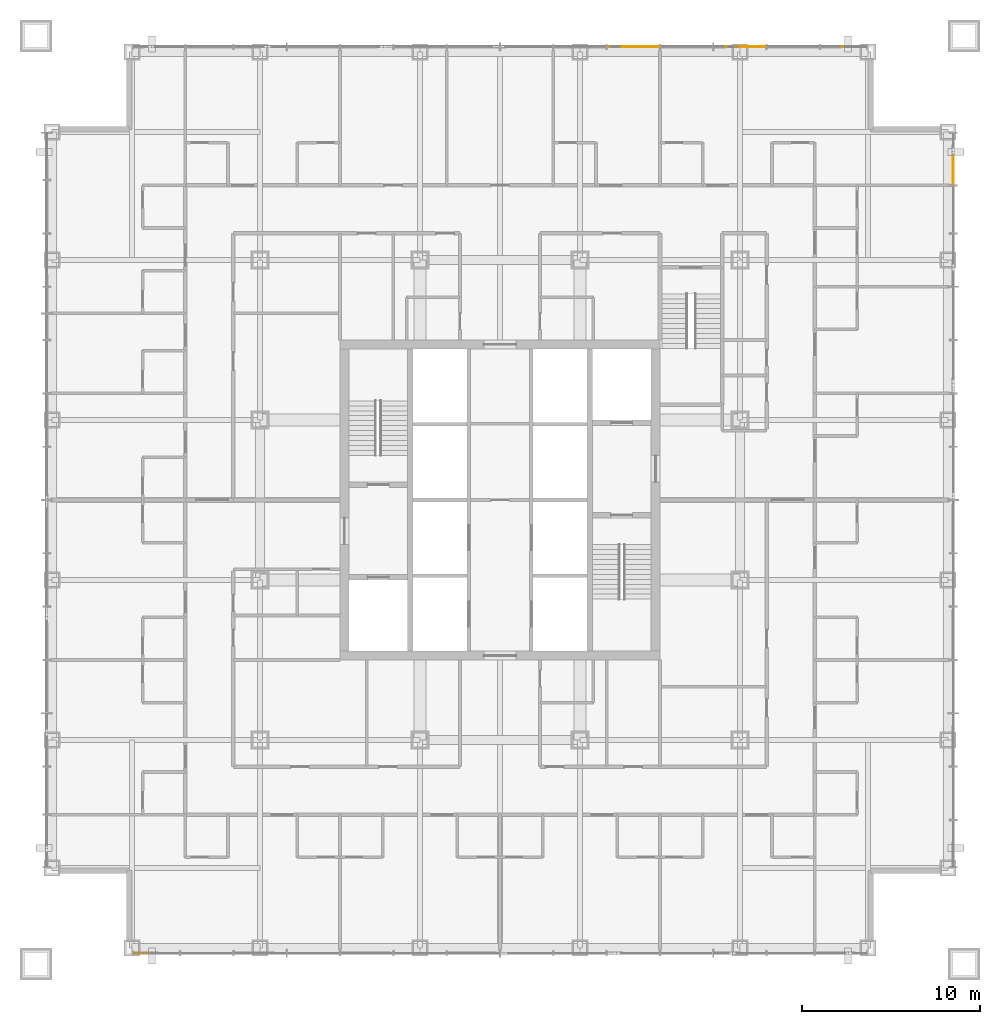
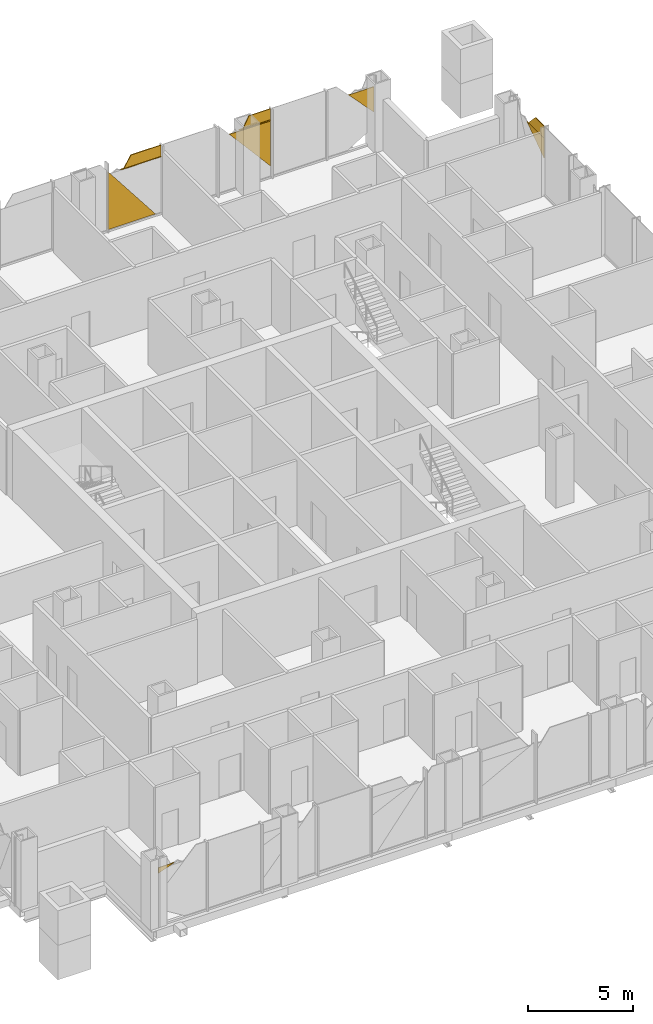
# One storey, part 14 of 23: 10 coverings.
"""IFC4 building model written with IfcOpenShell, lengths in metres."""

from ifc_helpers import new_model, si_unit, direction, frame, origin, place, context, subcontext, project, spatial, polyline, outline, extrude, material, layer, layer_set, type_object, element, save


model = new_model("IFC4")

# Units and contexts
model_context = context("Model", 3, precision=1e-05, world=origin(), true_north=direction((0.0, 1.0)))
body_context = subcontext(model_context, "Body", "Model", "MODEL_VIEW")
ifc_project = project(units=[si_unit("LENGTHUNIT", "METRE"), si_unit("AREAUNIT", "SQUARE_METRE"), si_unit("VOLUMEUNIT", "CUBIC_METRE"), si_unit("PLANEANGLEUNIT", "RADIAN"), si_unit("MASSUNIT", "GRAM", prefix="KILO")], contexts=[model_context])

# Site, building, storey
site_placement = place(None, origin())
site = spatial("IfcSite", under=ifc_project, at=site_placement, CompositionType="ELEMENT")
building_placement = place(site_placement, origin())
building = spatial("IfcBuilding", under=site, at=building_placement, Name="Malebo Sky Hospital", CompositionType="ELEMENT")
storey_placement = place(building_placement, frame((0.0, 0.0, 91.0)))
storey = spatial("IfcBuildingStorey", under=building, at=storey_placement, Name="L21", CompositionType="ELEMENT", Elevation=91.0)

# Coverings
ifc_material = material(Name="Anodised aluminium, natural silver insulated infill panel", Category="aluminium")
ifc_layer = layer(ifc_material, 0.0400390625)
ifc_layer_set = layer_set([ifc_layer], Name="BRACE INFILL PANEL 40")
covering_type = type_object("IfcCoveringType", Name="BRACE INFILL PANEL 40", PredefinedType="CLADDING", material=ifc_layer_set)
covering_1_placement = place(storey_placement, frame((67.34423828125, 87.5, 0.10009765625), z_axis=(0.0, 0.0, 1.0), x_axis=(1.0, 0.0, 0.0)))
element("IfcCovering", 1, at=covering_1_placement, inside=storey, type_object=covering_type, Name="Brace infill panel 10.1", PredefinedType="CLADDING", context=body_context, shape_type="SweptSolid", body=[
    extrude(outline(polyline([(-1.306640625, 0.0), (1.306640625, 0.0), (-1.306640625, 3.370849609375), (-1.306640625, 0.0)])), frame((0.0, 0.02001953125, 0.0), z_axis=(0.0, -1.0, 0.0), x_axis=(1.0, 0.0, 0.0)), (0.0, 0.0, 1.0), 0.0400390625),
])
covering_2_placement = place(storey_placement, frame((67.937744140625, 87.5, 3.3427734375), z_axis=(0.0, 0.0, 1.0), x_axis=(1.0, 0.0, 0.0)))
element("IfcCovering", 2, at=covering_2_placement, inside=storey, type_object=covering_type, Name="Brace infill panel 10.2", PredefinedType="CLADDING", context=body_context, shape_type="SweptSolid", body=[
    extrude(outline(polyline([(-1.02490234375, 0.0), (1.02490234375, 0.0), (1.02490234375, 0.647216796875), (-0.632080078125, 0.647216796875), (-1.02490234375, 0.0)])), frame((0.0, 0.02001953125, 0.0), z_axis=(0.0, -1.0, 0.0), x_axis=(1.0, 0.0, 0.0)), (0.0, 0.0, 1.0), 0.0400390625),
])
covering_3_placement = place(storey_placement, frame((67.845947265625, 87.5, 3.31201171875), z_axis=(0.0, 0.0, 1.0), x_axis=(1.0, 0.0, 0.0)))
element("IfcCovering", 3, at=covering_3_placement, inside=storey, type_object=covering_type, Name="Brace infill panel 10.4", PredefinedType="CLADDING", context=body_context, shape_type="SweptSolid", body=[
    extrude(outline(polyline([(-1.052001953125, 0.0), (1.11669921875, 0.0), (1.11669921875, 0.030517578125), (-1.11669921875, 0.030517578125), (-1.052001953125, 0.0)])), frame((0.0, 0.02001953125, 0.0), z_axis=(0.0, -1.0, 0.0), x_axis=(1.0, 0.0, 0.0)), (0.0, 0.0, 1.0), 0.0400390625),
])
covering_4_placement = place(storey_placement, frame((73.83056640625, 87.5, 0.6650390625), z_axis=(0.0, 0.0, 1.0), x_axis=(1.0, 0.0, 0.0)))
element("IfcCovering", 4, at=covering_4_placement, inside=storey, type_object=covering_type, Name="Brace infill panel 12.1", PredefinedType="CLADDING", context=body_context, shape_type="SweptSolid", body=[
    extrude(outline(polyline([(1.1318359375, 0.0), (1.1318359375, 2.633544921875), (-1.1318359375, 2.633544921875), (1.1318359375, 0.0)])), frame((0.0, 0.02001953125, 0.0), z_axis=(0.0, -1.0, 0.0), x_axis=(1.0, 0.0, 0.0)), (0.0, 0.0, 1.0), 0.0400390625),
])
covering_5_placement = place(storey_placement, frame((74.20458984375, 87.5, 3.360107421875), z_axis=(0.0, 0.0, 1.0), x_axis=(1.0, 0.0, 0.0)))
element("IfcCovering", 5, at=covering_5_placement, inside=storey, type_object=covering_type, Name="Brace infill panel 12.2", PredefinedType="CLADDING", context=body_context, shape_type="SweptSolid", body=[
    extrude(outline(polyline([(-0.7578125, 0.0), (0.7578125, 0.0), (0.7578125, 0.6298828125), (-0.4287109375, 0.6298828125), (-0.7578125, 0.0)])), frame((0.0, 0.02001953125, 0.0), z_axis=(0.0, -1.0, 0.0), x_axis=(1.0, 0.0, 0.0)), (0.0, 0.0, 1.0), 0.0400390625),
])
covering_6_placement = place(storey_placement, frame((74.10302734375, 87.5, 3.298828125), z_axis=(0.0, 0.0, 1.0), x_axis=(1.0, 0.0, 0.0)))
element("IfcCovering", 6, at=covering_6_placement, inside=storey, type_object=covering_type, Name="Brace infill panel 12.4", PredefinedType="CLADDING", context=body_context, shape_type="SweptSolid", body=[
    extrude(outline(polyline([(-0.714111328125, 0.0), (0.859375, 0.0), (0.859375, 0.061279296875), (-0.859375, 0.061279296875), (-0.714111328125, 0.0)])), frame((0.0, 0.02001953125, 0.0), z_axis=(0.0, -1.0, 0.0), x_axis=(1.0, 0.0, 0.0)), (0.0, 0.0, 1.0), 0.0400390625),
])
covering_7_placement = place(storey_placement, frame((79.930908203125, 87.5, 1.816162109375), z_axis=(0.0, 0.0, 1.0), x_axis=(1.0, 0.0, 0.0)))
element("IfcCovering", 7, at=covering_7_placement, inside=storey, type_object=covering_type, Name="Brace infill panel 14.1", PredefinedType="CLADDING", context=body_context, shape_type="SweptSolid", body=[
    extrude(outline(polyline([(0.694091796875, 0.0), (0.694091796875, 1.470703125), (-0.694091796875, 1.470703125), (0.694091796875, 0.0)])), frame((0.0, 0.02001953125, 0.0), z_axis=(0.0, -1.0, 0.0), x_axis=(1.0, 0.0, 0.0)), (0.0, 0.0, 1.0), 0.0400390625),
])
covering_8_placement = place(storey_placement, frame((39.812744140625, 36.5, 3.052734375), z_axis=(0.0, 0.0, 1.0), x_axis=(-1.0, 0.0, 0.0)))
element("IfcCovering", 8, at=covering_8_placement, inside=storey, type_object=covering_type, Name="Brace infill panel 14.2", PredefinedType="CLADDING", context=body_context, shape_type="SweptSolid", body=[
    extrude(outline(polyline([(0.437744140625, 0.0), (0.437744140625, 0.324951171875), (-0.4375, 0.324951171875), (0.437744140625, 0.0)])), frame((0.0, 0.02001953125, 0.0), z_axis=(0.0, -1.0, 0.0), x_axis=(1.0, 0.0, 0.0)), (0.0, 0.0, 1.0), 0.0400390625),
])
covering_9_placement = place(storey_placement, frame((85.5, 80.553466796875, 2.133544921875), z_axis=(0.0, 0.0, 1.0), x_axis=(0.0, -1.0, 0.0)))
element("IfcCovering", 9, at=covering_9_placement, inside=storey, type_object=covering_type, Name="Brace infill panel 1.2", PredefinedType="CLADDING", context=body_context, shape_type="SweptSolid", body=[
    extrude(outline(polyline([(0.81591796875, 0.0), (0.81591796875, 1.1533203125), (-0.81591796875, 1.1533203125), (0.81591796875, 0.0)])), frame((0.0, 0.02001953125, 0.0), z_axis=(0.0, -1.0, 0.0), x_axis=(1.0, 0.0, 0.0)), (0.0, 0.0, 1.0), 0.0400390625),
])
covering_10_placement = place(storey_placement, frame((85.5, 80.4873046875, 3.286865234375), z_axis=(0.0, 0.0, 1.0), x_axis=(0.0, -1.0, 0.0)))
element("IfcCovering", 10, at=covering_10_placement, inside=storey, type_object=covering_type, Name="Brace infill panel 1.3", PredefinedType="CLADDING", context=body_context, shape_type="SweptSolid", body=[
    extrude(outline(polyline([(-0.749755859375, 0.0), (0.749755859375, 0.0), (0.749755859375, 0.703125), (-0.0859375, 0.703125), (-0.749755859375, 0.0)])), frame((0.0, 0.02001953125, 0.0), z_axis=(0.0, -1.0, 0.0), x_axis=(1.0, 0.0, 0.0)), (0.0, 0.0, 1.0), 0.0400390625),
])

save(model, "model.ifc")
